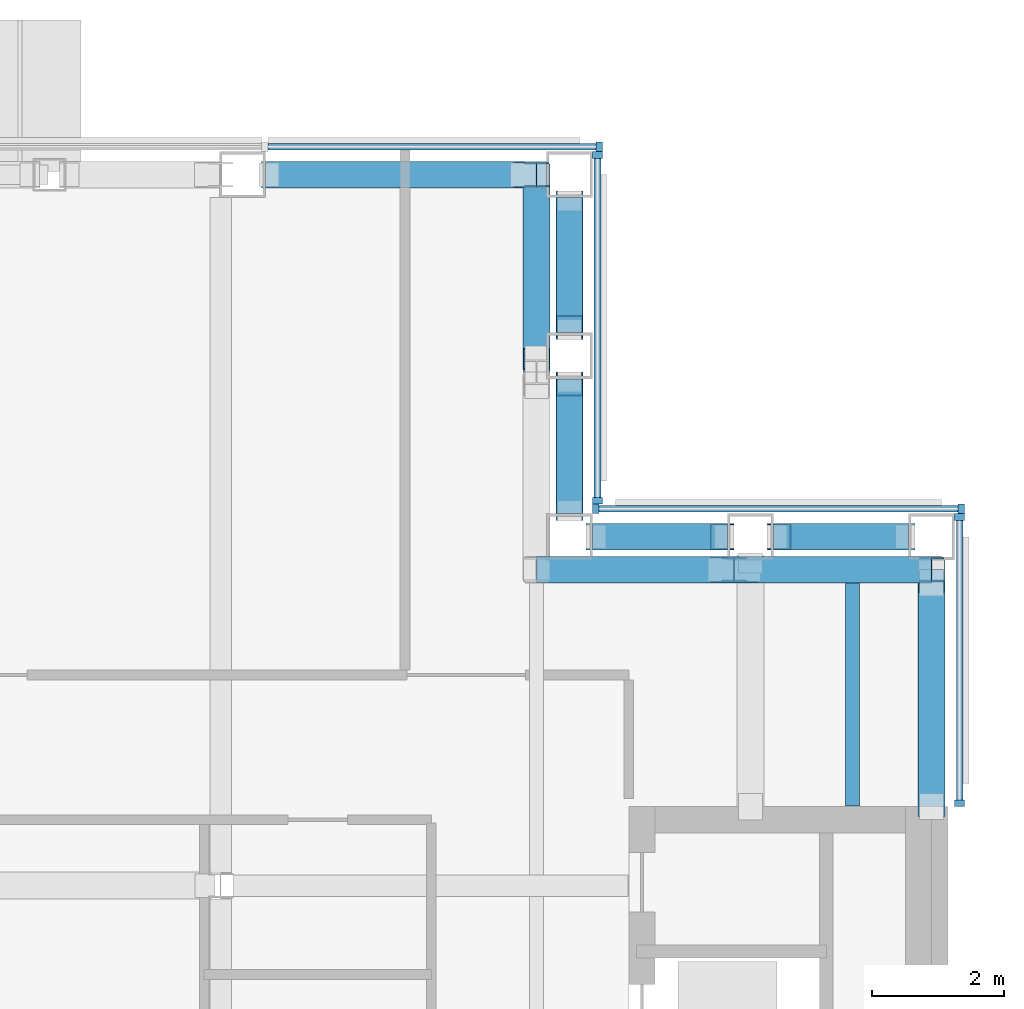
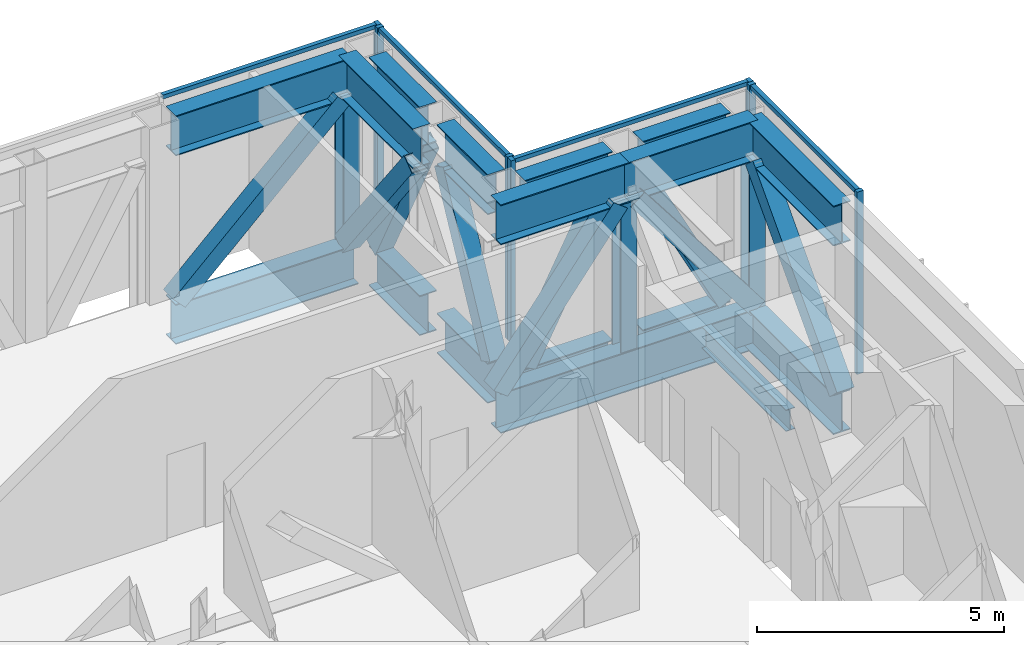
# One storey, part 9 of 26: 39 members, 1 beam, 4 elements without a shape of their own.
"""IFC4 building model written with IfcOpenShell, lengths in metres."""

import ifcopenshell
import ifcopenshell.guid

model = None  # the IFC model being written
_history = None  # IfcOwnerHistory: only IFC2X3 demands one
_inside = {}  # id of a spatial element -> (the spatial element, [elements in it])
_under = {}  # id of a project, library or spatial element -> (it, [spatial elements below it])
_declared = {}  # id of a project -> (the project, [libraries it declares])
_typed = {}  # id of a type object -> (the type object, [elements of that type])
_made_of = {}  # id of a material, layer set ... -> (it, [elements and type objects made of it])


def new_model(schema):
    """Start an empty IFC model of exactly this schema.

    Asked for "IFC4X3", IfcOpenShell would pick the latest addendum, in which some entities
    have other attributes; the version numbers below select the first issue.
    IFC2X3 requires an IfcOwnerHistory on every rooted entity: one is made here for all.
    """
    global model, _history
    if schema == "IFC4X3":
        model = ifcopenshell.file(schema_version=(4, 3, 0, 0))
    else:
        model = ifcopenshell.file(schema=schema)
    _inside.clear()
    _under.clear()
    _declared.clear()
    _typed.clear()
    _made_of.clear()
    _history = None
    if model.schema == "IFC2X3":
        org = make("IfcOrganization", Name="unknown")
        user = make(
            "IfcPersonAndOrganization",
            ThePerson=make("IfcPerson", FamilyName="unknown"),
            TheOrganization=org,
        )
        app = make(
            "IfcApplication",
            ApplicationDeveloper=org,
            Version="unknown",
            ApplicationFullName="unknown",
            ApplicationIdentifier="unknown",
        )
        _history = make(
            "IfcOwnerHistory",
            OwningUser=user,
            OwningApplication=app,
            ChangeAction="ADDED",
            CreationDate=0,
        )
    return model


def make(cls, **values):
    """One entity of the class cls with the attributes given. An attribute that is None is left unset."""
    return model.create_entity(
        cls, **{name: value for name, value in values.items() if value is not None}
    )


def rooted(cls, **values):
    """An entity with a GlobalId (a new one), such as an element, a storey or a relation."""
    return make(cls, GlobalId=ifcopenshell.guid.new(), OwnerHistory=_history, **values)


def si_unit(unit_type, name, prefix=None):
    """IfcSIUnit, for example si_unit("LENGTHUNIT", "METRE", prefix="MILLI")."""
    return make("IfcSIUnit", UnitType=unit_type, Prefix=prefix, Name=name)


def assignment(units):
    """IfcUnitAssignment: the units of a project."""
    return None if units is None else make("IfcUnitAssignment", Units=units)


def point(xyz):
    """IfcCartesianPoint."""
    return None if xyz is None else make("IfcCartesianPoint", Coordinates=xyz)


def direction(xyz):
    """IfcDirection."""
    return None if xyz is None else make("IfcDirection", DirectionRatios=xyz)


def frame(location, z_axis=None, x_axis=None):
    """IfcAxis2Placement3D, a coordinate frame: its origin and axes. An axis left out is left unset."""
    return make(
        "IfcAxis2Placement3D",
        Location=point(location),
        Axis=direction(z_axis),
        RefDirection=direction(x_axis),
    )


def frame_2d(location, x_axis=None):
    """IfcAxis2Placement2D, a coordinate frame in the plane: its origin and x axis."""
    return make(
        "IfcAxis2Placement2D", Location=point(location), RefDirection=direction(x_axis)
    )


def origin():
    """The frame at (0, 0, 0) with its axes left unset."""
    return frame((0.0, 0.0, 0.0))


def origin_2d():
    """The frame at (0, 0) in the plane with its x axis left unset."""
    return frame_2d((0.0, 0.0))


def place(relative_to, where):
    """IfcLocalPlacement: puts the frame where relative to a parent placement (None: the world)."""
    return make(
        "IfcLocalPlacement", PlacementRelTo=relative_to, RelativePlacement=where
    )


def context(
    kind, dimensions, precision=None, world=None, true_north=None, identifier=None
):
    """IfcGeometricRepresentationContext, for example the 3D "Model" context."""
    return make(
        "IfcGeometricRepresentationContext",
        ContextIdentifier=identifier,
        ContextType=kind,
        CoordinateSpaceDimension=dimensions,
        Precision=precision,
        WorldCoordinateSystem=world,
        TrueNorth=true_north,
    )


def subcontext(parent, identifier, kind, view, scale=None):
    """IfcGeometricRepresentationSubContext, for example "Body" below "Model"."""
    return make(
        "IfcGeometricRepresentationSubContext",
        ContextIdentifier=identifier,
        ContextType=kind,
        ParentContext=parent,
        TargetScale=scale,
        TargetView=view,
    )


def project(units=None, contexts=None):
    """IfcProject with its units and contexts."""
    return rooted(
        "IfcProject",
        Name="project",
        RepresentationContexts=contexts,
        UnitsInContext=assignment(units),
    )


def spatial(cls, under=None, at=None, **own):
    """A site, building, storey or space (cls), placed at a placement, below another one or the project."""
    s = rooted(cls, ObjectPlacement=at, **own)
    if under is not None:
        _under.setdefault(under.id(), (under, []))[1].append(s)
    return s


def profile(cls, at=None, kind="AREA", **sizes):
    """A parametric profile (cls). Its sizes go by their IFC names, for example OverallWidth=200.0."""
    return make(cls, ProfileType=kind, Position=at, **sizes)


def rectangle(**sizes):
    """IfcRectangleProfileDef."""
    return profile("IfcRectangleProfileDef", **sizes)


def hollow_rectangle(**sizes):
    """IfcRectangleHollowProfileDef."""
    return profile("IfcRectangleHollowProfileDef", **sizes)


def i_section(**sizes):
    """IfcIShapeProfileDef."""
    return profile("IfcIShapeProfileDef", **sizes)


def extrude(swept, where, along, depth):
    """IfcExtrudedAreaSolid: the profile swept, set in the frame where, extruded along a direction by depth."""
    return make(
        "IfcExtrudedAreaSolid",
        SweptArea=swept,
        Position=where,
        ExtrudedDirection=direction(along),
        Depth=depth,
    )


def shape(context_of_items, identifier, shape_type, items):
    """IfcShapeRepresentation: the items that make up one representation, for example the "Body"."""
    return make(
        "IfcShapeRepresentation",
        ContextOfItems=context_of_items,
        RepresentationIdentifier=identifier,
        RepresentationType=shape_type,
        Items=items,
    )


def material(Name=None, Category=None):
    """IfcMaterial."""
    return make("IfcMaterial", Name=Name, Category=Category)


def material_profile(
    of_material, cross_section, Name=None, Category=None, Priority=None
):
    """IfcMaterialProfile: a cross section and its material."""
    return make(
        "IfcMaterialProfile",
        Name=Name,
        Material=of_material,
        Profile=cross_section,
        Priority=Priority,
        Category=Category,
    )


def profile_set(profiles, Name=None, composite=None):
    """IfcMaterialProfileSet."""
    return make(
        "IfcMaterialProfileSet",
        Name=Name,
        MaterialProfiles=profiles,
        CompositeProfile=composite,
    )


def made_of(thing, what):
    """Note that an element or type object is made of a material, layer set ...; save() writes the relation."""
    if what is not None:
        _made_of.setdefault(what.id(), (what, []))[1].append(thing)
    return thing


def type_object(cls, material=None, **own):
    """A type object (cls), such as IfcWallType, which elements share."""
    return made_of(rooted(cls, **own), material)


def element(
    cls,
    number,
    at=None,
    inside=None,
    cuts=None,
    type_object=None,
    material=None,
    context=None,
    identifier="Body",
    shape_type=None,
    held_by="IfcProductDefinitionShape",
    body=None,
    shapes=None,
    **own,
):
    """One element of the class cls, such as IfcWall. Its Tag is "e" and its number.

    at: its placement. inside: the storey or other place that contains it. cuts: it is an
    opening in that element (IfcRelVoidsElement). A single representation is given by context,
    identifier, shape_type and body (its items); several are given by shapes. held_by: the class
    of the entity that holds the representations. save() writes the other relations.
    """
    e = rooted(cls, Tag="e%d" % number, ObjectPlacement=at, **own)
    if body is not None:
        shapes = [shape(context, identifier, shape_type, body)]
    if shapes is not None:
        e.Representation = make(held_by, Representations=shapes)
    if inside is not None:
        _inside.setdefault(inside.id(), (inside, []))[1].append(e)
    if cuts is not None:
        rooted(
            "IfcRelVoidsElement", RelatingBuildingElement=cuts, RelatedOpeningElement=e
        )
    if type_object is not None:
        _typed.setdefault(type_object.id(), (type_object, []))[1].append(e)
    return made_of(e, material)


def aggregate(whole, parts):
    """IfcRelAggregates: a whole, such as a stair, and the parts it consists of."""
    return rooted("IfcRelAggregates", RelatingObject=whole, RelatedObjects=parts)


def save(model, path):
    """Write the relations noted so far, then the file.

    IfcRelAggregates (storeys below a building ...), IfcRelContainedInSpatialStructure (elements
    in a storey), IfcRelDefinesByType, IfcRelAssociatesMaterial and IfcRelDeclares: one each for
    every whole, place, type object, material and project.
    """
    for whole, parts in _under.values():
        aggregate(whole, parts)
    for where, things in _inside.values():
        rooted(
            "IfcRelContainedInSpatialStructure",
            RelatedElements=things,
            RelatingStructure=where,
        )
    for kind, things in _typed.values():
        rooted("IfcRelDefinesByType", RelatedObjects=things, RelatingType=kind)
    for what, things in _made_of.values():
        rooted("IfcRelAssociatesMaterial", RelatedObjects=things, RelatingMaterial=what)
    for by, libraries in _declared.values():
        rooted("IfcRelDeclares", RelatingContext=by, RelatedDefinitions=libraries)
    model.write(path)


model = new_model("IFC4")

# Units and contexts
model_context = context("Model", 3, precision=1e-05, world=origin(), true_north=direction((0.0, 1.0)))
body_context = subcontext(model_context, "Body", "Model", "MODEL_VIEW")
ifc_project = project(units=[si_unit("LENGTHUNIT", "METRE"), si_unit("AREAUNIT", "SQUARE_METRE"), si_unit("VOLUMEUNIT", "CUBIC_METRE"), si_unit("PLANEANGLEUNIT", "RADIAN"), si_unit("MASSUNIT", "GRAM", prefix="KILO")], contexts=[model_context])

# Site, building, storey
site_placement = place(None, origin())
site = spatial("IfcSite", under=ifc_project, at=site_placement, CompositionType="ELEMENT")
building_placement = place(site_placement, origin())
building = spatial("IfcBuilding", under=site, at=building_placement, Name="Cobrizo Arcos Hotel Tower", CompositionType="ELEMENT")
storey_placement = place(building_placement, frame((0.0, 0.0, 236.5)))
storey = spatial("IfcBuildingStorey", under=building, at=storey_placement, Name="L62", CompositionType="ELEMENT", Elevation=236.5)

# Curtain wall, members
ifc_material_1 = material(Name="Aluminium 6063-T6 anodised bronze", Category="aluminium")
curtain_wall_type = type_object("IfcCurtainWallType", Name="CW-D plant louvre wall", PredefinedType="NOTDEFINED", material=ifc_material_1)
curtain_wall_1_placement = place(storey_placement, origin())
curtain_wall_1 = element("IfcCurtainWall", 1, at=curtain_wall_1_placement, inside=storey, type_object=curtain_wall_type, Name="CW-D L62 E face", PredefinedType="NOTDEFINED")
ifc_material_profile_1 = material_profile(ifc_material_1, rectangle(XDim=0.14990234375, YDim=0.10009765625, at=origin_2d()), Name="CW-D mullion 150x100")
ifc_profile_set_1 = profile_set([ifc_material_profile_1], Name="Aluminium 6063-T6 anodised bronze")
member_type_1 = type_object("IfcMemberType", Name="CW-D mullion 150x100", PredefinedType="MULLION", material=ifc_profile_set_1)
member_1_placement = place(storey_placement, frame((20.824951171875, 10.85009765625, 0.0), z_axis=(0.0, 0.0, 1.0), x_axis=(1.0, 0.0, 0.0)))
member_1 = element("IfcMember", 2, at=member_1_placement, type_object=member_type_1, Name="CW-D mullion 1", PredefinedType="MULLION", context=body_context, shape_type="SweptSolid", body=[
    extrude(rectangle(XDim=0.14990234375, YDim=0.10009765625, at=origin_2d()), origin(), (0.0, 0.0, 1.0), 4.5),
])
member_2_placement = place(storey_placement, frame((20.824951171875, 15.199951171875, 0.0), z_axis=(0.0, 0.0, 1.0), x_axis=(1.0, 0.0, 0.0)))
member_2 = element("IfcMember", 3, at=member_2_placement, type_object=member_type_1, Name="CW-D mullion 2", PredefinedType="MULLION", context=body_context, shape_type="SweptSolid", body=[
    extrude(rectangle(XDim=0.14990234375, YDim=0.10009765625, at=origin_2d()), origin(), (0.0, 0.0, 1.0), 4.5),
])

curtain_wall_2_placement = place(storey_placement, origin())
curtain_wall_2 = element("IfcCurtainWall", 4, at=curtain_wall_2_placement, inside=storey, type_object=curtain_wall_type, Name="CW-D L62 N face", PredefinedType="NOTDEFINED")
member_3_placement = place(storey_placement, frame((20.85009765625, 15.324951171875, 0.0), z_axis=(0.0, 0.0, 1.0), x_axis=(0.0, 1.0, 0.0)))
member_3 = element("IfcMember", 5, at=member_3_placement, type_object=member_type_1, Name="CW-D mullion 1", PredefinedType="MULLION", context=body_context, shape_type="SweptSolid", body=[
    extrude(rectangle(XDim=0.14990234375, YDim=0.10009765625, at=origin_2d()), origin(), (0.0, 0.0, 1.0), 4.5),
])
member_4_placement = place(storey_placement, frame((15.300048828125, 15.324951171875, 0.0), z_axis=(0.0, 0.0, 1.0), x_axis=(0.0, 1.0, 0.0)))
member_4 = element("IfcMember", 6, at=member_4_placement, type_object=member_type_1, Name="CW-D mullion 2", PredefinedType="MULLION", context=body_context, shape_type="SweptSolid", body=[
    extrude(rectangle(XDim=0.14990234375, YDim=0.10009765625, at=origin_2d()), origin(), (0.0, 0.0, 1.0), 4.5),
])

curtain_wall_3_placement = place(storey_placement, origin())
curtain_wall_3 = element("IfcCurtainWall", 7, at=curtain_wall_3_placement, inside=storey, type_object=curtain_wall_type, Name="CW-D L62 E face", PredefinedType="NOTDEFINED")
member_5_placement = place(storey_placement, frame((15.324951171875, 15.449951171875, 0.0), z_axis=(0.0, 0.0, 1.0), x_axis=(1.0, 0.0, 0.0)))
member_5 = element("IfcMember", 8, at=member_5_placement, type_object=member_type_1, Name="CW-D mullion 1", PredefinedType="MULLION", context=body_context, shape_type="SweptSolid", body=[
    extrude(rectangle(XDim=0.14990234375, YDim=0.10009765625, at=origin_2d()), origin(), (0.0, 0.0, 1.0), 4.5),
])
member_6_placement = place(storey_placement, frame((15.324951171875, 20.699951171875, 0.0), z_axis=(0.0, 0.0, 1.0), x_axis=(1.0, 0.0, 0.0)))
member_6 = element("IfcMember", 9, at=member_6_placement, type_object=member_type_1, Name="CW-D mullion 2", PredefinedType="MULLION", context=body_context, shape_type="SweptSolid", body=[
    extrude(rectangle(XDim=0.14990234375, YDim=0.10009765625, at=origin_2d()), origin(), (0.0, 0.0, 1.0), 4.5),
])

# Curtain wall, member
curtain_wall_4_placement = place(storey_placement, origin())
curtain_wall_4 = element("IfcCurtainWall", 10, at=curtain_wall_4_placement, inside=storey, type_object=curtain_wall_type, Name="CW-D L62 N face", PredefinedType="NOTDEFINED")
member_7_placement = place(storey_placement, frame((15.35009765625, 20.824951171875, 0.0), z_axis=(0.0, 0.0, 1.0), x_axis=(0.0, 1.0, 0.0)))
member_7 = element("IfcMember", 11, at=member_7_placement, type_object=member_type_1, Name="CW-D mullion 1", PredefinedType="MULLION", context=body_context, shape_type="SweptSolid", body=[
    extrude(rectangle(XDim=0.14990234375, YDim=0.10009765625, at=origin_2d()), origin(), (0.0, 0.0, 1.0), 4.5),
])

# Member
ifc_material_profile_2 = material_profile(ifc_material_1, rectangle(XDim=0.10009765625, YDim=0.10009765625, at=origin_2d()), Name="CW-D transom 100x100")
ifc_profile_set_2 = profile_set([ifc_material_profile_2], Name="Aluminium 6063-T6 anodised bronze")
member_type_2 = type_object("IfcMemberType", Name="CW-D transom 100x100", PredefinedType="USERDEFINED", material=ifc_profile_set_2)
member_8_placement = place(storey_placement, frame((20.824951171875, 10.89990234375, 4.449951171875), z_axis=(0.0, 1.0, 0.0), x_axis=(-1.0, 0.0, 0.0)))
member_8 = element("IfcMember", 12, at=member_8_placement, type_object=member_type_2, Name="CW-D transom 1997", ObjectType="TRANSOM", PredefinedType="USERDEFINED", context=body_context, shape_type="SweptSolid", body=[
    extrude(rectangle(XDim=0.10009765625, YDim=0.10009765625, at=origin_2d()), origin(), (0.0, 0.0, 1.0), 4.25),
])

aggregate(curtain_wall_1, [member_1, member_2, member_8])

member_9_placement = place(storey_placement, frame((20.800048828125, 15.324951171875, 4.449951171875), z_axis=(-1.0, 0.0, 0.0), x_axis=(0.0, -1.0, 0.0)))
member_9 = element("IfcMember", 13, at=member_9_placement, type_object=member_type_2, Name="CW-D transom 1998", ObjectType="TRANSOM", PredefinedType="USERDEFINED", context=body_context, shape_type="SweptSolid", body=[
    extrude(rectangle(XDim=0.10009765625, YDim=0.10009765625, at=origin_2d()), origin(), (0.0, 0.0, 1.0), 5.449951171875),
])

aggregate(curtain_wall_2, [member_3, member_4, member_9])

member_10_placement = place(storey_placement, frame((15.324951171875, 15.5, 4.449951171875), z_axis=(0.0, 1.0, 0.0), x_axis=(-1.0, 0.0, 0.0)))
member_10 = element("IfcMember", 14, at=member_10_placement, type_object=member_type_2, Name="CW-D transom 1999", ObjectType="TRANSOM", PredefinedType="USERDEFINED", context=body_context, shape_type="SweptSolid", body=[
    extrude(rectangle(XDim=0.10009765625, YDim=0.10009765625, at=origin_2d()), origin(), (0.0, 0.0, 1.0), 5.14990234375),
])

aggregate(curtain_wall_3, [member_5, member_6, member_10])

member_11_placement = place(storey_placement, frame((15.300048828125, 20.824951171875, 4.449951171875), z_axis=(-1.0, 0.0, 0.0), x_axis=(0.0, -1.0, 0.0)))
member_11 = element("IfcMember", 15, at=member_11_placement, type_object=member_type_2, Name="CW-D transom 2000", ObjectType="TRANSOM", PredefinedType="USERDEFINED", context=body_context, shape_type="SweptSolid", body=[
    extrude(rectangle(XDim=0.10009765625, YDim=0.10009765625, at=origin_2d()), origin(), (0.0, 0.0, 1.0), 4.9833984375),
])

aggregate(curtain_wall_4, [member_7, member_11])

# Members
ifc_material_2 = material(Name="Steel ASTM A500 Grade C", Category="steel")
ifc_material_profile_3 = material_profile(ifc_material_2, hollow_rectangle(XDim=0.406494140625, YDim=0.406494140625, WallThickness=0.014892578125, at=origin_2d()), Name="HSS16X16X5/8")
ifc_profile_set_3 = profile_set([ifc_material_profile_3], Name="Steel ASTM A500 Grade C")
member_type_3 = type_object("IfcMemberType", Name="HSS16X16X5/8 truss diagonal", PredefinedType="BRACE", material=ifc_profile_set_3)
member_12_placement = place(storey_placement, frame((20.39990234375, 10.801025390625, -0.300048828125), z_axis=(0.0, 0.680546716419, 0.732704692746), x_axis=(-1.0, 0.0, 0.0)))
element("IfcMember", 16, at=member_12_placement, inside=storey, type_object=member_type_3, Name="Belt truss diagonal TD1, L62, no. 014", PredefinedType="BRACE", context=body_context, shape_type="SweptSolid", body=[
    extrude(hollow_rectangle(XDim=0.406494140625, YDim=0.406494140625, WallThickness=0.014892578125, at=origin_2d()), origin(), (0.0, 0.0, 1.0), 4.994384765625),
])
for number, where, z_axis, x_axis, name in (
    (17, (19.969970703125, 14.89990234375, -0.300048828125), (-0.458864866216, 0.0, 0.888506068945), (0.0, -1.0, 0.0), "Belt truss diagonal TD1, L62, no. 015"),
    (18, (17.219970703125, 14.89990234375, 3.359375), (-0.458864866216, 0.0, -0.888506068945), (0.0, -1.0, 0.0), "Belt truss diagonal TD1, L62, no. 016"),
    (19, (14.89990234375, 15.330078125, -0.300048828125), (0.0, 0.458864866216, 0.888506068945), (-1.0, 0.0, 0.0), "Belt truss diagonal TD1, L62, no. 017"),
    (20, (14.89990234375, 18.080078125, 3.359375), (0.0, 0.458864866216, -0.888506068945), (-1.0, 0.0, 0.0), "Belt truss diagonal TD1, L62, no. 018"),
):
    element("IfcMember", number, at=place(storey_placement, frame(where, z_axis=z_axis, x_axis=x_axis)), inside=storey, type_object=member_type_3, Name=name, PredefinedType="BRACE", context=body_context, shape_type="SweptSolid", body=[
        extrude(hollow_rectangle(XDim=0.406494140625, YDim=0.406494140625, WallThickness=0.014892578125, at=origin_2d()), origin(), (0.0, 0.0, 1.0), 4.11865234375),
    ])
member_13_placement = place(storey_placement, frame((14.199951171875, 20.39990234375, 3.359375), z_axis=(-0.723646087401, 0.0, -0.690171239759), x_axis=(0.0, -1.0, 0.0)))
element("IfcMember", 21, at=member_13_placement, inside=storey, type_object=member_type_3, Name="Belt truss diagonal TD1, L62, no. 019", PredefinedType="BRACE", context=body_context, shape_type="SweptSolid", body=[
    extrude(hollow_rectangle(XDim=0.406494140625, YDim=0.406494140625, WallThickness=0.014892578125, at=origin_2d()), origin(), (0.0, 0.0, 1.0), 5.30224609375),
])
for number, where, z_axis, x_axis, name in (
    (22, (20.39990234375, 14.39990234375, -0.300048828125), (-0.607644795951, 0.0, 0.794208915811), (0.0, -1.0, 0.0), "Belt truss diagonal TD1, L62, no. 041"),
    (23, (17.199951171875, 14.39990234375, 3.359375), (-0.607678216274, 0.0, -0.794183344994), (0.0, -1.0, 0.0), "Belt truss diagonal TD1, L62, no. 042"),
    (24, (14.39990234375, 17.60009765625, 3.359375), (0.0, 0.607644795951, -0.794208915811), (-1.0, 0.0, 0.0), "Belt truss diagonal TD1, L62, no. 044"),
):
    element("IfcMember", number, at=place(storey_placement, frame(where, z_axis=z_axis, x_axis=x_axis)), inside=storey, type_object=member_type_3, Name=name, PredefinedType="BRACE", context=body_context, shape_type="SweptSolid", body=[
        extrude(hollow_rectangle(XDim=0.406494140625, YDim=0.406494140625, WallThickness=0.014892578125, at=origin_2d()), origin(), (0.0, 0.0, 1.0), 4.607666015625),
    ])
ifc_material_3 = material(Name="Steel ASTM A992 Grade 50", Category="steel")
ifc_material_profile_4 = material_profile(ifc_material_3, i_section(OverallWidth=0.373291015625, OverallDepth=0.373291015625, WebThickness=0.016357421875, FlangeThickness=0.026123046875, at=origin_2d()), Name="W14X132")
ifc_profile_set_4 = profile_set([ifc_material_profile_4], Name="Steel ASTM A992 Grade 50")
member_type_4 = type_object("IfcMemberType", Name="W14X132 truss post", PredefinedType="POST", material=ifc_profile_set_4)
for number, where, z_axis, x_axis, name in (
    (25, (20.39990234375, 14.39990234375, -0.300048828125), (0.0, 0.0, 1.0), (1.0, 0.0, 0.0), "Truss post TP1, L62, no. 009"),
    (26, (14.39990234375, 20.39990234375, -0.300048828125), (0.0, 0.0, 1.0), (1.0, 0.0, 0.0), "Truss post TP1, L62, no. 010"),
    (27, (17.39990234375, 14.39990234375, -0.300048828125), (0.0, 0.0, 1.0), (1.0, 0.0, 0.0), "Truss post TP1, L62, no. 022"),
):
    element("IfcMember", number, at=place(storey_placement, frame(where, z_axis=z_axis, x_axis=x_axis)), inside=storey, type_object=member_type_4, Name=name, PredefinedType="POST", context=body_context, shape_type="SweptSolid", body=[
        extrude(i_section(OverallWidth=0.373291015625, OverallDepth=0.373291015625, WebThickness=0.016357421875, FlangeThickness=0.026123046875, at=origin_2d()), origin(), (0.0, 0.0, 1.0), 3.659423828125),
    ])

# Beam
ifc_material_profile_5 = material_profile(ifc_material_3, i_section(OverallWidth=0.209228515625, OverallDepth=0.533447265625, WebThickness=0.01025390625, FlangeThickness=0.015625, at=origin_2d()), Name="W21X62")
ifc_profile_set_5 = profile_set([ifc_material_profile_5], Name="Steel ASTM A992 Grade 50")
beam_type = type_object("IfcBeamType", Name="W21X62 joist", PredefinedType="JOIST", material=ifc_profile_set_5)
beam_placement = place(storey_placement, frame((19.199951171875, 10.81005859375, -0.566650390625), z_axis=(0.0, 1.0, 0.0), x_axis=(-1.0, 0.0, 0.0)))
element("IfcBeam", 28, at=beam_placement, inside=storey, type_object=beam_type, Name="Floor joist J1, L62, no. 020", PredefinedType="JOIST", context=body_context, shape_type="SweptSolid", body=[
    extrude(i_section(OverallWidth=0.209228515625, OverallDepth=0.533447265625, WebThickness=0.01025390625, FlangeThickness=0.015625, at=origin_2d()), origin(), (0.0, 0.0, 1.0), 3.389404296875),
])

# Members
ifc_material_profile_6 = material_profile(ifc_material_3, i_section(OverallWidth=0.4013671875, OverallDepth=0.990478515625, WebThickness=0.0166015625, FlangeThickness=0.025390625, at=origin_2d()), Name="W40X215")
ifc_profile_set_6 = profile_set([ifc_material_profile_6], Name="Steel ASTM A992 Grade 50")
member_type_5 = type_object("IfcMemberType", Name="W40X215 belt truss chord", PredefinedType="CHORD", material=ifc_profile_set_6)
member_14_placement = place(storey_placement, frame((20.39990234375, 10.801025390625, -0.79541015625), z_axis=(0.0, 1.0, 0.0), x_axis=(-1.0, 0.0, 0.0)))
element("IfcMember", 29, at=member_14_placement, inside=storey, type_object=member_type_5, Name="Belt truss bottom chord TC1, L62, no. 011", PredefinedType="CHORD", context=body_context, shape_type="SweptSolid", body=[
    extrude(i_section(OverallWidth=0.4013671875, OverallDepth=0.990478515625, WebThickness=0.0166015625, FlangeThickness=0.025390625, at=origin_2d()), origin(), (0.0, 0.0, 1.0), 3.7490234375),
])
member_15_placement = place(storey_placement, frame((20.39990234375, 10.801025390625, 3.854736328125), z_axis=(0.0, 1.0, 0.0), x_axis=(-1.0, 0.0, 0.0)))
element("IfcMember", 30, at=member_15_placement, inside=storey, type_object=member_type_5, Name="Belt truss top chord TC1, L62, no. 014", PredefinedType="CHORD", context=body_context, shape_type="SweptSolid", body=[
    extrude(i_section(OverallWidth=0.4013671875, OverallDepth=0.990478515625, WebThickness=0.0166015625, FlangeThickness=0.025390625, at=origin_2d()), origin(), (0.0, 0.0, 1.0), 3.598876953125),
])
for number, where, z_axis, x_axis, name in (
    (31, (20.050048828125, 14.89990234375, -0.79541015625), (-1.0, 0.0, 0.0), (0.0, -1.0, 0.0), "Belt truss bottom chord TC1, L62, no. 012"),
    (32, (17.300048828125, 14.89990234375, -0.79541015625), (-1.0, 0.0, 0.0), (0.0, -1.0, 0.0), "Belt truss bottom chord TC1, L62, no. 013"),
    (33, (20.050048828125, 14.89990234375, 3.854736328125), (-1.0, 0.0, 0.0), (0.0, -1.0, 0.0), "Belt truss top chord TC1, L62, no. 015"),
    (34, (17.300048828125, 14.89990234375, 3.854736328125), (-1.0, 0.0, 0.0), (0.0, -1.0, 0.0), "Belt truss top chord TC1, L62, no. 016"),
    (35, (14.89990234375, 15.25, -0.79541015625), (0.0, 1.0, 0.0), (-1.0, 0.0, 0.0), "Belt truss bottom chord TC1, L62, no. 014"),
    (36, (14.89990234375, 18.0, -0.79541015625), (0.0, 1.0, 0.0), (-1.0, 0.0, 0.0), "Belt truss bottom chord TC1, L62, no. 015"),
    (37, (14.89990234375, 15.25, 3.854736328125), (0.0, 1.0, 0.0), (-1.0, 0.0, 0.0), "Belt truss top chord TC1, L62, no. 017"),
    (38, (14.89990234375, 18.0, 3.854736328125), (0.0, 1.0, 0.0), (-1.0, 0.0, 0.0), "Belt truss top chord TC1, L62, no. 018"),
):
    element("IfcMember", number, at=place(storey_placement, frame(where, z_axis=z_axis, x_axis=x_axis)), inside=storey, type_object=member_type_5, Name=name, PredefinedType="CHORD", context=body_context, shape_type="SweptSolid", body=[
        extrude(i_section(OverallWidth=0.4013671875, OverallDepth=0.990478515625, WebThickness=0.0166015625, FlangeThickness=0.025390625, at=origin_2d()), origin(), (0.0, 0.0, 1.0), 2.050048828125),
    ])
member_16_placement = place(storey_placement, frame((14.550048828125, 20.39990234375, -0.79541015625), z_axis=(-1.0, 0.0, 0.0), x_axis=(0.0, -1.0, 0.0)))
element("IfcMember", 39, at=member_16_placement, inside=storey, type_object=member_type_5, Name="Belt truss bottom chord TC1, L62, no. 016", PredefinedType="CHORD", context=body_context, shape_type="SweptSolid", body=[
    extrude(i_section(OverallWidth=0.4013671875, OverallDepth=0.990478515625, WebThickness=0.0166015625, FlangeThickness=0.025390625, at=origin_2d()), origin(), (0.0, 0.0, 1.0), 4.26708984375),
])
member_17_placement = place(storey_placement, frame((14.39990234375, 20.39990234375, 3.854736328125), z_axis=(-1.0, 0.0, 0.0), x_axis=(0.0, -1.0, 0.0)))
element("IfcMember", 40, at=member_17_placement, inside=storey, type_object=member_type_5, Name="Belt truss top chord TC1, L62, no. 019", PredefinedType="CHORD", context=body_context, shape_type="SweptSolid", body=[
    extrude(i_section(OverallWidth=0.4013671875, OverallDepth=0.990478515625, WebThickness=0.0166015625, FlangeThickness=0.025390625, at=origin_2d()), origin(), (0.0, 0.0, 1.0), 4.116943359375),
])
member_18_placement = place(storey_placement, frame((20.39990234375, 14.39990234375, -0.79541015625), z_axis=(-1.0, 0.0, 0.0), x_axis=(0.0, -1.0, 0.0)))
element("IfcMember", 41, at=member_18_placement, inside=storey, type_object=member_type_5, Name="Belt truss bottom chord TC1, L62, no. 033", PredefinedType="CHORD", context=body_context, shape_type="SweptSolid", body=[
    extrude(i_section(OverallWidth=0.4013671875, OverallDepth=0.990478515625, WebThickness=0.0166015625, FlangeThickness=0.025390625, at=origin_2d()), origin(), (0.0, 0.0, 1.0), 6.0),
])
for number, where, z_axis, x_axis, name in (
    (42, (20.39990234375, 14.39990234375, 3.854736328125), (-1.0, 0.0, 0.0), (0.0, -1.0, 0.0), "Belt truss top chord TC1, L62, no. 041"),
    (43, (17.39990234375, 14.39990234375, 3.854736328125), (-1.0, 0.0, 0.0), (0.0, -1.0, 0.0), "Belt truss top chord TC1, L62, no. 042"),
    (44, (14.39990234375, 17.39990234375, 3.854736328125), (0.0, 1.0, 0.0), (-1.0, 0.0, 0.0), "Belt truss top chord TC1, L62, no. 044"),
):
    element("IfcMember", number, at=place(storey_placement, frame(where, z_axis=z_axis, x_axis=x_axis)), inside=storey, type_object=member_type_5, Name=name, PredefinedType="CHORD", context=body_context, shape_type="SweptSolid", body=[
        extrude(i_section(OverallWidth=0.4013671875, OverallDepth=0.990478515625, WebThickness=0.0166015625, FlangeThickness=0.025390625, at=origin_2d()), origin(), (0.0, 0.0, 1.0), 3.0),
    ])

save(model, "model.ifc")
